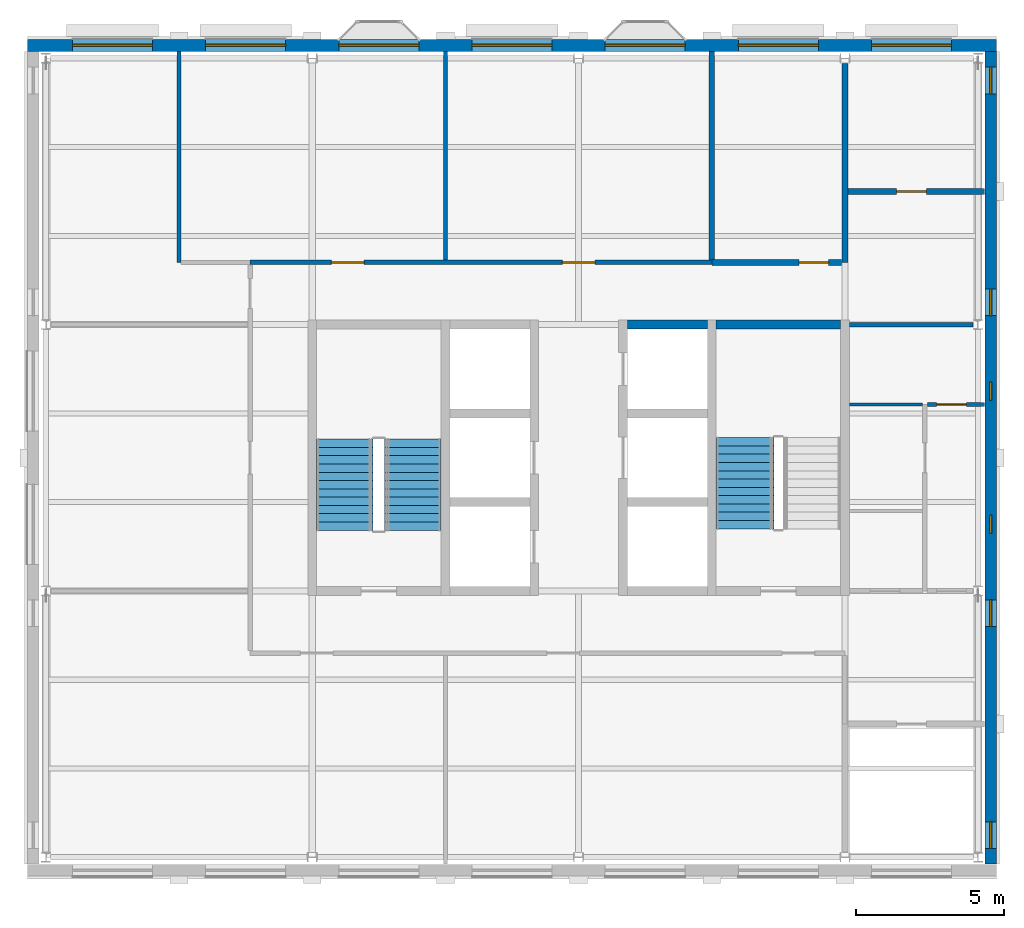
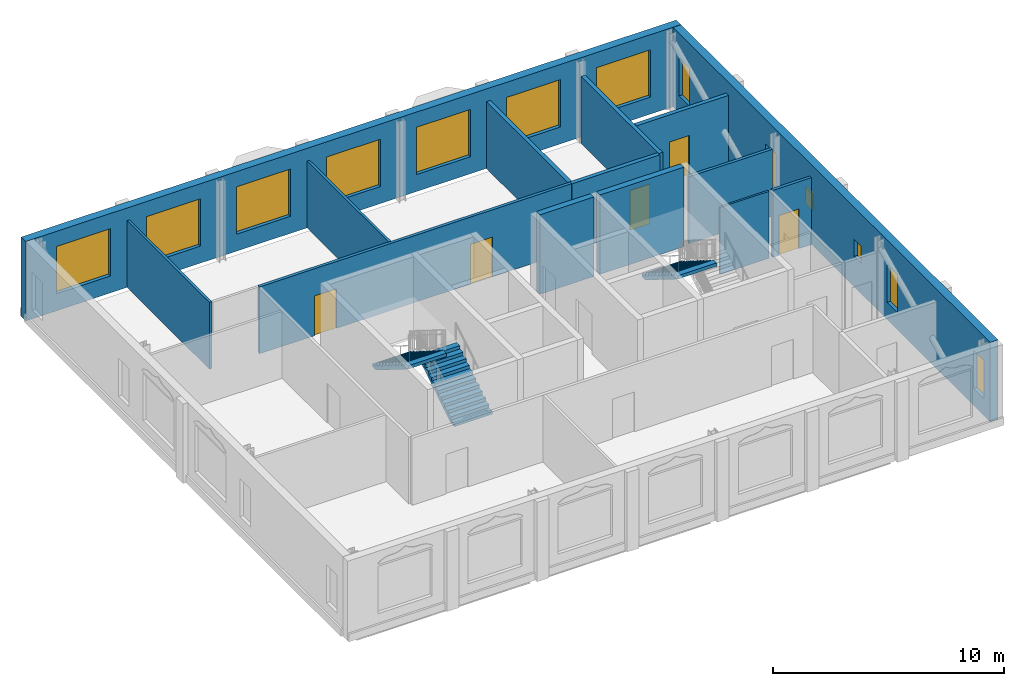
# One storey, part 5 of 9: 14 walls, 13 windows, 5 doors, 3 stair flights, 18 openings, 2 elements without a shape of their own.
"""IFC4 building model written with IfcOpenShell, lengths in metres."""

from ifc_helpers import new_model, si_unit, direction, frame, frame_2d, origin, place, context, subcontext, project, spatial, polyline, rectangle, outline, extrude, material, layer, layer_set, type_object, element, fill, aggregate, save


model = new_model("IFC4")

# Units and contexts
model_context = context("Model", 3, precision=1e-05, world=origin(), true_north=direction((0.0, 1.0)))
body_context = subcontext(model_context, "Body", "Model", "MODEL_VIEW")
ifc_project = project(units=[si_unit("LENGTHUNIT", "METRE"), si_unit("AREAUNIT", "SQUARE_METRE"), si_unit("VOLUMEUNIT", "CUBIC_METRE"), si_unit("PLANEANGLEUNIT", "RADIAN"), si_unit("MASSUNIT", "GRAM", prefix="KILO")], contexts=[model_context])

# Site, building, storey
site_placement = place(None, origin())
site = spatial("IfcSite", under=ifc_project, at=site_placement, CompositionType="ELEMENT")
building_placement = place(site_placement, origin())
building = spatial("IfcBuilding", under=site, at=building_placement, Name="Hortulan Conservatory and Botanical Research Centre", CompositionType="ELEMENT")
storey_placement = place(building_placement, frame((0.0, 0.0, 31.800048828125)))
storey = spatial("IfcBuildingStorey", under=building, at=storey_placement, Name="L07", CompositionType="ELEMENT", Elevation=31.800048828125)

# Walls
ifc_material_1 = material(Name="Fire-rated plasterboard on steel studs", Category="steel")
ifc_layer_1 = layer(ifc_material_1, 0.199951171875)
ifc_layer_set_1 = layer_set([ifc_layer_1], Name="Compartment Partition 200")
wall_type_1 = type_object("IfcWallType", Name="Compartment Partition 200", PredefinedType="PARTITIONING", material=ifc_layer_set_1)
wall_1_placement = place(storey_placement, frame((22.5, 20.18505859375, 0.0), z_axis=(0.0, 0.0, 1.0), x_axis=(0.0, 1.0, 0.0)))
element("IfcWall", 1, at=wall_1_placement, inside=storey, type_object=wall_type_1, Name="Store wall", PredefinedType="PARTITIONING", context=body_context, shape_type="SweptSolid", body=[
    extrude(rectangle(XDim=7.041015625, YDim=0.199951171875, at=frame_2d((3.5205078125, 0.0))), origin(), (0.0, 0.0, 1.0), 3.536865234375),
])
wall_2_placement = place(storey_placement, frame((27.0, 20.10009765625, 0.0), z_axis=(0.0, 0.0, 1.0), x_axis=(0.0, 1.0, 0.0)))
element("IfcWall", 2, at=wall_2_placement, inside=storey, type_object=wall_type_1, Name="Store wall", PredefinedType="PARTITIONING", context=body_context, shape_type="SweptSolid", body=[
    extrude(rectangle(XDim=6.726318359375, YDim=0.199951171875, at=frame_2d((3.36328125, 0.0))), origin(), (0.0, 0.0, 1.0), 3.536865234375),
])

# Wall, opening, door
wall_3_placement = place(storey_placement, frame((22.510009765625, 20.10009765625, 0.0), z_axis=(0.0, 0.0, 1.0), x_axis=(1.0, 0.0, 0.0)))
wall_3 = element("IfcWall", 3, at=wall_3_placement, inside=storey, type_object=wall_type_1, Name="Store wall", PredefinedType="PARTITIONING", context=body_context, shape_type="SweptSolid", body=[
    extrude(rectangle(XDim=4.3798828125, YDim=0.199951171875, at=frame_2d((2.18994140625, 0.0))), origin(), (0.0, 0.0, 1.0), 3.536865234375),
])
opening_1_placement = place(wall_3_placement, frame((2.93994140625, 0.0, 0.0)))
opening_1 = element("IfcOpeningElement", 4, at=opening_1_placement, cuts=wall_3, Name="Opening DT6", PredefinedType="OPENING", context=body_context, shape_type="SweptSolid", body=[
    extrude(rectangle(XDim=1.0, YDim=2.10009765625, at=frame_2d((0.5, 1.050048828125))), frame((0.0, 0.10986328125, 0.0), z_axis=(0.0, -1.0, 0.0), x_axis=(1.0, 0.0, 0.0)), (0.0, 0.0, 1.0), 0.219970703125),
])
ifc_material_2 = material(Name="Steel door leaf, insulated", Category="steel")
door_type_1 = type_object("IfcDoorType", Name="Fire Door 1000x2100 FRL -/120/30", OperationType="NOTDEFINED", PredefinedType="DOOR", material=ifc_material_2)
door_1_placement = place(opening_1_placement, origin())
door_1 = element("IfcDoor", 5, at=door_1_placement, inside=storey, type_object=door_type_1, Name="Door DT6 Chemical Store", OperationType="SINGLE_SWING_LEFT", OverallHeight=2.10009765625, OverallWidth=1.0, PredefinedType="DOOR", context=body_context, shape_type="SweptSolid", body=[
    extrude(rectangle(XDim=1.0, YDim=2.10009765625, at=frame_2d((0.5, 1.050048828125))), frame((0.0, 0.02490234375, 0.0), z_axis=(0.0, -1.0, 0.0), x_axis=(1.0, 0.0, 0.0)), (0.0, 0.0, 1.0), 0.050048828125),
])
fill(opening_1, door_1)

wall_4_placement = place(storey_placement, frame((27.110107421875, 22.5, 0.0), z_axis=(0.0, 0.0, 1.0), x_axis=(1.0, 0.0, 0.0)))
wall_4 = element("IfcWall", 6, at=wall_4_placement, inside=storey, type_object=wall_type_1, Name="Store wall", PredefinedType="PARTITIONING", context=body_context, shape_type="SweptSolid", body=[
    extrude(rectangle(XDim=4.60498046875, YDim=0.199951171875, at=frame_2d((2.302490234375, 0.0))), origin(), (0.0, 0.0, 1.0), 3.536865234375),
])
opening_2_placement = place(wall_4_placement, frame((1.639892578125, 0.0, 0.0)))
opening_2 = element("IfcOpeningElement", 7, at=opening_2_placement, cuts=wall_4, Name="Opening DT6", PredefinedType="OPENING", context=body_context, shape_type="SweptSolid", body=[
    extrude(rectangle(XDim=1.0, YDim=2.10009765625, at=frame_2d((0.5, 1.050048828125))), frame((0.0, 0.10986328125, 0.0), z_axis=(0.0, -1.0, 0.0), x_axis=(1.0, 0.0, 0.0)), (0.0, 0.0, 1.0), 0.219970703125),
])
door_2_placement = place(opening_2_placement, origin())
door_2 = element("IfcDoor", 8, at=door_2_placement, inside=storey, type_object=door_type_1, Name="Door DT6 Cold Room", OperationType="SINGLE_SWING_LEFT", OverallHeight=2.10009765625, OverallWidth=1.0, PredefinedType="DOOR", context=body_context, shape_type="SweptSolid", body=[
    extrude(rectangle(XDim=1.0, YDim=2.10009765625, at=frame_2d((0.5, 1.050048828125))), frame((0.0, 0.02490234375, 0.0), z_axis=(0.0, -1.0, 0.0), x_axis=(1.0, 0.0, 0.0)), (0.0, 0.0, 1.0), 0.050048828125),
])
fill(opening_2, door_2)

# Walls
ifc_material_3 = material(Name="Concrete N50 (50 MPa, AS 3600)", Category="concrete")
ifc_layer_2 = layer(ifc_material_3, 0.300048828125)
ifc_layer_set_2 = layer_set([ifc_layer_2], Name="Core Wall 300 N50 FRL 240/120/120")
wall_type_2 = type_object("IfcWallType", Name="Core Wall 300 N50 FRL 240/120/120", PredefinedType="SHEAR", material=ifc_layer_set_2)
wall_5_placement = place(storey_placement, frame((19.64990234375, 18.0, 0.0), z_axis=(0.0, 0.0, 1.0), x_axis=(1.0, 0.0, 0.0)))
element("IfcWall", 9, at=wall_5_placement, inside=storey, type_object=wall_type_2, Name="Reinforced concrete shaft wall", PredefinedType="SHEAR", context=body_context, shape_type="SweptSolid", body=[
    extrude(rectangle(XDim=2.7001953125, YDim=0.300048828125, at=frame_2d((1.35009765625, 0.0))), origin(), (0.0, 0.0, 1.0), 4.199951171875),
])
wall_6_placement = place(storey_placement, frame((22.64990234375, 18.0, 0.0), z_axis=(0.0, 0.0, 1.0), x_axis=(1.0, 0.0, 0.0)))
element("IfcWall", 10, at=wall_6_placement, inside=storey, type_object=wall_type_2, Name="Reinforced concrete shaft wall", PredefinedType="SHEAR", context=body_context, shape_type="SweptSolid", body=[
    extrude(rectangle(XDim=4.2001953125, YDim=0.300048828125, at=frame_2d((2.10009765625, 0.0))), origin(), (0.0, 0.0, 1.0), 4.199951171875),
])
ifc_material_4 = material(Name="Plasterboard on steel studs", Category="steel")
ifc_layer_3 = layer(ifc_material_4, 0.14990234375)
ifc_layer_set_3 = layer_set([ifc_layer_3], Name="Corridor Partition 150")
wall_type_3 = type_object("IfcWallType", Name="Corridor Partition 150", PredefinedType="PARTITIONING", material=ifc_layer_set_3)
wall_7_placement = place(storey_placement, frame((27.159912109375, 18.0, 0.0), z_axis=(0.0, 0.0, 1.0), x_axis=(1.0, 0.0, 0.0)))
element("IfcWall", 11, at=wall_7_placement, inside=storey, type_object=wall_type_3, Name="Corridor partition", PredefinedType="PARTITIONING", context=body_context, shape_type="SweptSolid", body=[
    extrude(rectangle(XDim=4.174560546875, YDim=0.14990234375, at=frame_2d((2.08740234375, 0.0))), origin(), (0.0, 0.0, 1.0), 3.536865234375),
])

# Wall, openings, doors
wall_8_placement = place(storey_placement, frame((6.89990234375, 20.10009765625, 0.0), z_axis=(0.0, 0.0, 1.0), x_axis=(1.0, 0.0, 0.0)))
wall_8 = element("IfcWall", 12, at=wall_8_placement, inside=storey, type_object=wall_type_3, Name="Corridor partition", PredefinedType="PARTITIONING", context=body_context, shape_type="SweptSolid", body=[
    extrude(rectangle(XDim=15.60009765625, YDim=0.14990234375, at=frame_2d((7.800048828125, 0.0))), origin(), (0.0, 0.0, 1.0), 3.536865234375),
])
opening_3_placement = place(wall_8_placement, frame((2.75, 0.0, 0.0)))
opening_3 = element("IfcOpeningElement", 13, at=opening_3_placement, cuts=wall_8, Name="Opening DT3", PredefinedType="OPENING", context=body_context, shape_type="SweptSolid", body=[
    extrude(rectangle(XDim=1.10009765625, YDim=2.10009765625, at=frame_2d((0.550048828125, 1.050048828125))), frame((0.0, 0.0849609375, 0.0), z_axis=(0.0, -1.0, 0.0), x_axis=(1.0, 0.0, 0.0)), (0.0, 0.0, 1.0), 0.169921875),
])
opening_4_placement = place(wall_8_placement, frame((10.550048828125, 0.0, 0.0)))
opening_4 = element("IfcOpeningElement", 14, at=opening_4_placement, cuts=wall_8, Name="Opening DT3", PredefinedType="OPENING", context=body_context, shape_type="SweptSolid", body=[
    extrude(rectangle(XDim=1.10009765625, YDim=2.10009765625, at=frame_2d((0.550048828125, 1.050048828125))), frame((0.0, 0.0849609375, 0.0), z_axis=(0.0, -1.0, 0.0), x_axis=(1.0, 0.0, 0.0)), (0.0, 0.0, 1.0), 0.169921875),
])
ifc_material_5 = material(Name="Timber door leaf with vision panel", Category="wood")
door_type_2 = type_object("IfcDoorType", Name="Laboratory Door 1100x2100", OperationType="NOTDEFINED", PredefinedType="DOOR", material=ifc_material_5)
door_3_placement = place(opening_3_placement, origin())
door_3 = element("IfcDoor", 15, at=door_3_placement, inside=storey, type_object=door_type_2, Name="Door DT3 Tissue Culture Laboratory", OperationType="SINGLE_SWING_LEFT", OverallHeight=2.10009765625, OverallWidth=1.10009765625, PredefinedType="DOOR", context=body_context, shape_type="SweptSolid", body=[
    extrude(rectangle(XDim=1.10009765625, YDim=2.10009765625, at=frame_2d((0.550048828125, 1.050048828125))), frame((0.0, 0.02490234375, 0.0), z_axis=(0.0, -1.0, 0.0), x_axis=(1.0, 0.0, 0.0)), (0.0, 0.0, 1.0), 0.050048828125),
])
fill(opening_3, door_3)
door_4_placement = place(opening_4_placement, origin())
door_4 = element("IfcDoor", 16, at=door_4_placement, inside=storey, type_object=door_type_2, Name="Door DT3 Plant Physiology Laboratory", OperationType="SINGLE_SWING_RIGHT", OverallHeight=2.10009765625, OverallWidth=1.10009765625, PredefinedType="DOOR", context=body_context, shape_type="SweptSolid", body=[
    extrude(rectangle(XDim=1.10009765625, YDim=2.10009765625, at=frame_2d((0.550048828125, 1.050048828125))), frame((0.0, 0.02490234375, 0.0), z_axis=(0.0, -1.0, 0.0), x_axis=(1.0, 0.0, 0.0)), (0.0, 0.0, 1.0), 0.050048828125),
])
fill(opening_4, door_4)

# Wall, openings, windows
ifc_material_6 = material(Name="Faience-faced brickwork masonry", Category="masonry")
ifc_layer_4 = layer(ifc_material_6, 0.39990234375)
ifc_layer_set_4 = layer_set([ifc_layer_4], Name="Faience-faced Masonry Cavity Wall 400")
wall_type_4 = type_object("IfcWallType", Name="Faience-faced Masonry Cavity Wall 400", PredefinedType="STANDARD", material=ifc_layer_set_4)
wall_9_placement = place(storey_placement, frame((-0.625, 27.43603515625, 0.0), z_axis=(0.0, 0.0, 1.0), x_axis=(1.0, 0.0, 0.0)))
wall_9 = element("IfcWall", 17, at=wall_9_placement, inside=storey, type_object=wall_type_4, Name="E-EW-TW-L07-N3", PredefinedType="STANDARD", context=body_context, shape_type="SweptSolid", body=[
    extrude(rectangle(XDim=32.75, YDim=0.39990234375, at=frame_2d((16.375, 0.0))), origin(), (0.0, 0.0, 1.0), 4.199951171875),
])
opening_5_placement = place(wall_9_placement, frame((1.52490234375, 0.0, 0.89990234375)))
opening_5 = element("IfcOpeningElement", 18, at=opening_5_placement, cuts=wall_9, Name="Opening W4", PredefinedType="OPENING", context=body_context, shape_type="SweptSolid", body=[
    extrude(rectangle(XDim=2.699951171875, YDim=2.5, at=frame_2d((1.35009765625, 1.25))), frame((0.0, 0.2099609375, 0.0), z_axis=(0.0, -1.0, 0.0), x_axis=(1.0, 0.0, 0.0)), (0.0, 0.0, 1.0), 0.419921875),
])
opening_6_placement = place(wall_9_placement, frame((6.02490234375, 0.0, 0.89990234375)))
opening_6 = element("IfcOpeningElement", 19, at=opening_6_placement, cuts=wall_9, Name="Opening W4", PredefinedType="OPENING", context=body_context, shape_type="SweptSolid", body=[
    extrude(rectangle(XDim=2.699951171875, YDim=2.5, at=frame_2d((1.35009765625, 1.25))), frame((0.0, 0.2099609375, 0.0), z_axis=(0.0, -1.0, 0.0), x_axis=(1.0, 0.0, 0.0)), (0.0, 0.0, 1.0), 0.419921875),
])
opening_7_placement = place(wall_9_placement, frame((10.52490234375, 0.0, 0.89990234375)))
opening_7 = element("IfcOpeningElement", 20, at=opening_7_placement, cuts=wall_9, Name="Opening W4", PredefinedType="OPENING", context=body_context, shape_type="SweptSolid", body=[
    extrude(rectangle(XDim=2.699951171875, YDim=2.5, at=frame_2d((1.35009765625, 1.25))), frame((0.0, 0.2099609375, 0.0), z_axis=(0.0, -1.0, 0.0), x_axis=(1.0, 0.0, 0.0)), (0.0, 0.0, 1.0), 0.419921875),
])
opening_8_placement = place(wall_9_placement, frame((15.02490234375, 0.0, 0.89990234375)))
opening_8 = element("IfcOpeningElement", 21, at=opening_8_placement, cuts=wall_9, Name="Opening W4", PredefinedType="OPENING", context=body_context, shape_type="SweptSolid", body=[
    extrude(rectangle(XDim=2.699951171875, YDim=2.5, at=frame_2d((1.35009765625, 1.25))), frame((0.0, 0.2099609375, 0.0), z_axis=(0.0, -1.0, 0.0), x_axis=(1.0, 0.0, 0.0)), (0.0, 0.0, 1.0), 0.419921875),
])
opening_9_placement = place(wall_9_placement, frame((19.52490234375, 0.0, 0.89990234375)))
opening_9 = element("IfcOpeningElement", 22, at=opening_9_placement, cuts=wall_9, Name="Opening W4", PredefinedType="OPENING", context=body_context, shape_type="SweptSolid", body=[
    extrude(rectangle(XDim=2.699951171875, YDim=2.5, at=frame_2d((1.35009765625, 1.25))), frame((0.0, 0.2099609375, 0.0), z_axis=(0.0, -1.0, 0.0), x_axis=(1.0, 0.0, 0.0)), (0.0, 0.0, 1.0), 0.419921875),
])
opening_10_placement = place(wall_9_placement, frame((24.02490234375, 0.0, 0.89990234375)))
opening_10 = element("IfcOpeningElement", 23, at=opening_10_placement, cuts=wall_9, Name="Opening W4", PredefinedType="OPENING", context=body_context, shape_type="SweptSolid", body=[
    extrude(rectangle(XDim=2.699951171875, YDim=2.5, at=frame_2d((1.35009765625, 1.25))), frame((0.0, 0.2099609375, 0.0), z_axis=(0.0, -1.0, 0.0), x_axis=(1.0, 0.0, 0.0)), (0.0, 0.0, 1.0), 0.419921875),
])
opening_11_placement = place(wall_9_placement, frame((28.52490234375, 0.0, 0.89990234375)))
opening_11 = element("IfcOpeningElement", 24, at=opening_11_placement, cuts=wall_9, Name="Opening W4", PredefinedType="OPENING", context=body_context, shape_type="SweptSolid", body=[
    extrude(rectangle(XDim=2.699951171875, YDim=2.5, at=frame_2d((1.35009765625, 1.25))), frame((0.0, 0.2099609375, 0.0), z_axis=(0.0, -1.0, 0.0), x_axis=(1.0, 0.0, 0.0)), (0.0, 0.0, 1.0), 0.419921875),
])
ifc_material_7 = material(Name="Bronze-finished aluminium frame with low-e laminated double glazing", Category="aluminium")
window_type_1 = type_object("IfcWindowType", Name="Faience Window 2700x2500", PartitioningType="SINGLE_PANEL", PredefinedType="WINDOW", material=ifc_material_7)
window_1_placement = place(opening_5_placement, origin())
window_1 = element("IfcWindow", 25, at=window_1_placement, inside=storey, type_object=window_type_1, Name="Faience window", OverallHeight=2.5, OverallWidth=2.699951171875, PartitioningType="SINGLE_PANEL", PredefinedType="WINDOW", context=body_context, shape_type="SweptSolid", body=[
    extrude(rectangle(XDim=2.699951171875, YDim=2.5, at=frame_2d((1.35009765625, 1.25))), frame((0.0, 0.030029296875, 0.0), z_axis=(0.0, -1.0, 0.0), x_axis=(1.0, 0.0, 0.0)), (0.0, 0.0, 1.0), 0.06005859375),
])
fill(opening_5, window_1)
window_2_placement = place(opening_6_placement, origin())
window_2 = element("IfcWindow", 26, at=window_2_placement, inside=storey, type_object=window_type_1, Name="Faience window", OverallHeight=2.5, OverallWidth=2.699951171875, PartitioningType="SINGLE_PANEL", PredefinedType="WINDOW", context=body_context, shape_type="SweptSolid", body=[
    extrude(rectangle(XDim=2.699951171875, YDim=2.5, at=frame_2d((1.35009765625, 1.25))), frame((0.0, 0.030029296875, 0.0), z_axis=(0.0, -1.0, 0.0), x_axis=(1.0, 0.0, 0.0)), (0.0, 0.0, 1.0), 0.06005859375),
])
fill(opening_6, window_2)
window_3_placement = place(opening_7_placement, origin())
window_3 = element("IfcWindow", 27, at=window_3_placement, inside=storey, type_object=window_type_1, Name="Faience window", OverallHeight=2.5, OverallWidth=2.699951171875, PartitioningType="SINGLE_PANEL", PredefinedType="WINDOW", context=body_context, shape_type="SweptSolid", body=[
    extrude(rectangle(XDim=2.699951171875, YDim=2.5, at=frame_2d((1.35009765625, 1.25))), frame((0.0, 0.030029296875, 0.0), z_axis=(0.0, -1.0, 0.0), x_axis=(1.0, 0.0, 0.0)), (0.0, 0.0, 1.0), 0.06005859375),
])
fill(opening_7, window_3)
window_4_placement = place(opening_8_placement, origin())
window_4 = element("IfcWindow", 28, at=window_4_placement, inside=storey, type_object=window_type_1, Name="Faience window", OverallHeight=2.5, OverallWidth=2.699951171875, PartitioningType="SINGLE_PANEL", PredefinedType="WINDOW", context=body_context, shape_type="SweptSolid", body=[
    extrude(rectangle(XDim=2.699951171875, YDim=2.5, at=frame_2d((1.35009765625, 1.25))), frame((0.0, 0.030029296875, 0.0), z_axis=(0.0, -1.0, 0.0), x_axis=(1.0, 0.0, 0.0)), (0.0, 0.0, 1.0), 0.06005859375),
])
fill(opening_8, window_4)
window_5_placement = place(opening_9_placement, origin())
window_5 = element("IfcWindow", 29, at=window_5_placement, inside=storey, type_object=window_type_1, Name="Faience window", OverallHeight=2.5, OverallWidth=2.699951171875, PartitioningType="SINGLE_PANEL", PredefinedType="WINDOW", context=body_context, shape_type="SweptSolid", body=[
    extrude(rectangle(XDim=2.699951171875, YDim=2.5, at=frame_2d((1.35009765625, 1.25))), frame((0.0, 0.030029296875, 0.0), z_axis=(0.0, -1.0, 0.0), x_axis=(1.0, 0.0, 0.0)), (0.0, 0.0, 1.0), 0.06005859375),
])
fill(opening_9, window_5)
window_6_placement = place(opening_10_placement, origin())
window_6 = element("IfcWindow", 30, at=window_6_placement, inside=storey, type_object=window_type_1, Name="Faience window", OverallHeight=2.5, OverallWidth=2.699951171875, PartitioningType="SINGLE_PANEL", PredefinedType="WINDOW", context=body_context, shape_type="SweptSolid", body=[
    extrude(rectangle(XDim=2.699951171875, YDim=2.5, at=frame_2d((1.35009765625, 1.25))), frame((0.0, 0.030029296875, 0.0), z_axis=(0.0, -1.0, 0.0), x_axis=(1.0, 0.0, 0.0)), (0.0, 0.0, 1.0), 0.06005859375),
])
fill(opening_10, window_6)
window_7_placement = place(opening_11_placement, origin())
window_7 = element("IfcWindow", 31, at=window_7_placement, inside=storey, type_object=window_type_1, Name="Faience window", OverallHeight=2.5, OverallWidth=2.699951171875, PartitioningType="SINGLE_PANEL", PredefinedType="WINDOW", context=body_context, shape_type="SweptSolid", body=[
    extrude(rectangle(XDim=2.699951171875, YDim=2.5, at=frame_2d((1.35009765625, 1.25))), frame((0.0, 0.030029296875, 0.0), z_axis=(0.0, -1.0, 0.0), x_axis=(1.0, 0.0, 0.0)), (0.0, 0.0, 1.0), 0.06005859375),
])
fill(opening_11, window_7)

wall_10_placement = place(storey_placement, frame((31.925048828125, 27.22509765625, 0.0), z_axis=(0.0, 0.0, 1.0), x_axis=(0.0, -1.0, 0.0)))
wall_10 = element("IfcWall", 32, at=wall_10_placement, inside=storey, type_object=wall_type_4, Name="E-EW-TW-L07-E4", PredefinedType="STANDARD", context=body_context, shape_type="SweptSolid", body=[
    extrude(rectangle(XDim=27.4501953125, YDim=0.39990234375, at=frame_2d((13.72509765625, 0.0))), origin(), (0.0, 0.0, 1.0), 4.199951171875),
])
opening_12_placement = place(wall_10_placement, frame((26.02490234375, 0.0, 0.89990234375)))
opening_12 = element("IfcOpeningElement", 33, at=opening_12_placement, cuts=wall_10, Name="Opening W5", PredefinedType="OPENING", context=body_context, shape_type="SweptSolid", body=[
    extrude(rectangle(XDim=0.89990234375, YDim=2.0, at=frame_2d((0.449951171875, 1.0))), frame((0.0, 0.2099609375, 0.0), z_axis=(0.0, -1.0, 0.0), x_axis=(1.0, 0.0, 0.0)), (0.0, 0.0, 1.0), 0.419921875),
])
opening_13_placement = place(wall_10_placement, frame((18.52490234375, 0.0, 0.89990234375)))
opening_13 = element("IfcOpeningElement", 34, at=opening_13_placement, cuts=wall_10, Name="Opening W5", PredefinedType="OPENING", context=body_context, shape_type="SweptSolid", body=[
    extrude(rectangle(XDim=0.89990234375, YDim=2.0, at=frame_2d((0.449951171875, 1.0))), frame((0.0, 0.2099609375, 0.0), z_axis=(0.0, -1.0, 0.0), x_axis=(1.0, 0.0, 0.0)), (0.0, 0.0, 1.0), 0.419921875),
])
opening_14_placement = place(wall_10_placement, frame((15.675048828125, 0.0, 1.60009765625)))
opening_14 = element("IfcOpeningElement", 35, at=opening_14_placement, cuts=wall_10, Name="Opening W3", PredefinedType="OPENING", context=body_context, shape_type="SweptSolid", body=[
    extrude(rectangle(XDim=0.60009765625, YDim=0.89990234375, at=frame_2d((0.300048828125, 0.449951171875))), frame((0.0, 0.2099609375, 0.0), z_axis=(0.0, -1.0, 0.0), x_axis=(1.0, 0.0, 0.0)), (0.0, 0.0, 1.0), 0.419921875),
])
opening_15_placement = place(wall_10_placement, frame((11.175048828125, 0.0, 1.60009765625)))
opening_15 = element("IfcOpeningElement", 36, at=opening_15_placement, cuts=wall_10, Name="Opening W3", PredefinedType="OPENING", context=body_context, shape_type="SweptSolid", body=[
    extrude(rectangle(XDim=0.60009765625, YDim=0.89990234375, at=frame_2d((0.300048828125, 0.449951171875))), frame((0.0, 0.2099609375, 0.0), z_axis=(0.0, -1.0, 0.0), x_axis=(1.0, 0.0, 0.0)), (0.0, 0.0, 1.0), 0.419921875),
])
opening_16_placement = place(wall_10_placement, frame((8.02490234375, 0.0, 0.89990234375)))
opening_16 = element("IfcOpeningElement", 37, at=opening_16_placement, cuts=wall_10, Name="Opening W5", PredefinedType="OPENING", context=body_context, shape_type="SweptSolid", body=[
    extrude(rectangle(XDim=0.89990234375, YDim=2.0, at=frame_2d((0.449951171875, 1.0))), frame((0.0, 0.2099609375, 0.0), z_axis=(0.0, -1.0, 0.0), x_axis=(1.0, 0.0, 0.0)), (0.0, 0.0, 1.0), 0.419921875),
])
opening_17_placement = place(wall_10_placement, frame((0.52490234375, 0.0, 0.89990234375)))
opening_17 = element("IfcOpeningElement", 38, at=opening_17_placement, cuts=wall_10, Name="Opening W5", PredefinedType="OPENING", context=body_context, shape_type="SweptSolid", body=[
    extrude(rectangle(XDim=0.89990234375, YDim=2.0, at=frame_2d((0.449951171875, 1.0))), frame((0.0, 0.2099609375, 0.0), z_axis=(0.0, -1.0, 0.0), x_axis=(1.0, 0.0, 0.0)), (0.0, 0.0, 1.0), 0.419921875),
])
window_type_2 = type_object("IfcWindowType", Name="Faience Pier Window 900x2000", PartitioningType="SINGLE_PANEL", PredefinedType="WINDOW", material=ifc_material_7)
window_8_placement = place(opening_12_placement, origin())
window_8 = element("IfcWindow", 39, at=window_8_placement, inside=storey, type_object=window_type_2, Name="Faience Pier window", OverallHeight=2.0, OverallWidth=0.89990234375, PartitioningType="SINGLE_PANEL", PredefinedType="WINDOW", context=body_context, shape_type="SweptSolid", body=[
    extrude(rectangle(XDim=0.89990234375, YDim=2.0, at=frame_2d((0.449951171875, 1.0))), frame((0.0, 0.030029296875, 0.0), z_axis=(0.0, -1.0, 0.0), x_axis=(1.0, 0.0, 0.0)), (0.0, 0.0, 1.0), 0.06005859375),
])
fill(opening_12, window_8)
window_9_placement = place(opening_13_placement, origin())
window_9 = element("IfcWindow", 40, at=window_9_placement, inside=storey, type_object=window_type_2, Name="Faience Pier window", OverallHeight=2.0, OverallWidth=0.89990234375, PartitioningType="SINGLE_PANEL", PredefinedType="WINDOW", context=body_context, shape_type="SweptSolid", body=[
    extrude(rectangle(XDim=0.89990234375, YDim=2.0, at=frame_2d((0.449951171875, 1.0))), frame((0.0, 0.030029296875, 0.0), z_axis=(0.0, -1.0, 0.0), x_axis=(1.0, 0.0, 0.0)), (0.0, 0.0, 1.0), 0.06005859375),
])
fill(opening_13, window_9)
window_10_placement = place(opening_16_placement, origin())
window_10 = element("IfcWindow", 41, at=window_10_placement, inside=storey, type_object=window_type_2, Name="Faience Pier window", OverallHeight=2.0, OverallWidth=0.89990234375, PartitioningType="SINGLE_PANEL", PredefinedType="WINDOW", context=body_context, shape_type="SweptSolid", body=[
    extrude(rectangle(XDim=0.89990234375, YDim=2.0, at=frame_2d((0.449951171875, 1.0))), frame((0.0, 0.030029296875, 0.0), z_axis=(0.0, -1.0, 0.0), x_axis=(1.0, 0.0, 0.0)), (0.0, 0.0, 1.0), 0.06005859375),
])
fill(opening_16, window_10)
window_11_placement = place(opening_17_placement, origin())
window_11 = element("IfcWindow", 42, at=window_11_placement, inside=storey, type_object=window_type_2, Name="Faience Pier window", OverallHeight=2.0, OverallWidth=0.89990234375, PartitioningType="SINGLE_PANEL", PredefinedType="WINDOW", context=body_context, shape_type="SweptSolid", body=[
    extrude(rectangle(XDim=0.89990234375, YDim=2.0, at=frame_2d((0.449951171875, 1.0))), frame((0.0, 0.030029296875, 0.0), z_axis=(0.0, -1.0, 0.0), x_axis=(1.0, 0.0, 0.0)), (0.0, 0.0, 1.0), 0.06005859375),
])
fill(opening_17, window_11)
window_type_3 = type_object("IfcWindowType", Name="Slot Window 600x900", PartitioningType="SINGLE_PANEL", PredefinedType="WINDOW", material=ifc_material_7)
window_12_placement = place(opening_14_placement, origin())
window_12 = element("IfcWindow", 43, at=window_12_placement, inside=storey, type_object=window_type_3, Name="Slot window", OverallHeight=0.89990234375, OverallWidth=0.60009765625, PartitioningType="SINGLE_PANEL", PredefinedType="WINDOW", context=body_context, shape_type="SweptSolid", body=[
    extrude(rectangle(XDim=0.60009765625, YDim=0.89990234375, at=frame_2d((0.300048828125, 0.449951171875))), frame((0.0, 0.030029296875, 0.0), z_axis=(0.0, -1.0, 0.0), x_axis=(1.0, 0.0, 0.0)), (0.0, 0.0, 1.0), 0.06005859375),
])
fill(opening_14, window_12)
window_13_placement = place(opening_15_placement, origin())
window_13 = element("IfcWindow", 44, at=window_13_placement, inside=storey, type_object=window_type_3, Name="Slot window", OverallHeight=0.89990234375, OverallWidth=0.60009765625, PartitioningType="SINGLE_PANEL", PredefinedType="WINDOW", context=body_context, shape_type="SweptSolid", body=[
    extrude(rectangle(XDim=0.60009765625, YDim=0.89990234375, at=frame_2d((0.300048828125, 0.449951171875))), frame((0.0, 0.030029296875, 0.0), z_axis=(0.0, -1.0, 0.0), x_axis=(1.0, 0.0, 0.0)), (0.0, 0.0, 1.0), 0.06005859375),
])
fill(opening_15, window_13)

# Wall, opening, door
ifc_layer_5 = layer(ifc_material_1, 0.14990234375)
ifc_layer_set_5 = layer_set([ifc_layer_5], Name="Lobby Partition 150")
wall_type_5 = type_object("IfcWallType", Name="Lobby Partition 150", PredefinedType="PARTITIONING", material=ifc_layer_set_5)
wall_11_placement = place(storey_placement, frame((29.784912109375, 15.300048828125, 0.0), z_axis=(0.0, 0.0, 1.0), x_axis=(1.0, 0.0, 0.0)))
wall_11 = element("IfcWall", 45, at=wall_11_placement, inside=storey, type_object=wall_type_5, Name="Lobby partition", PredefinedType="PARTITIONING", context=body_context, shape_type="SweptSolid", body=[
    extrude(rectangle(XDim=1.93017578125, YDim=0.14990234375, at=frame_2d((0.965087890625, 0.0))), origin(), (0.0, 0.0, 1.0), 3.536865234375),
])
opening_18_placement = place(wall_11_placement, frame((0.31494140625, 0.0, 0.0)))
opening_18 = element("IfcOpeningElement", 46, at=opening_18_placement, cuts=wall_11, Name="Opening DT4", PredefinedType="OPENING", context=body_context, shape_type="SweptSolid", body=[
    extrude(rectangle(XDim=1.0, YDim=2.10009765625, at=frame_2d((0.5, 1.050048828125))), frame((0.0, 0.0849609375, 0.0), z_axis=(0.0, -1.0, 0.0), x_axis=(1.0, 0.0, 0.0)), (0.0, 0.0, 1.0), 0.169921875),
])
door_type_3 = type_object("IfcDoorType", Name="Fire Door 1000x2100 FRL -/60/30", OperationType="NOTDEFINED", PredefinedType="DOOR", material=ifc_material_2)
door_5_placement = place(opening_18_placement, origin())
door_5 = element("IfcDoor", 47, at=door_5_placement, inside=storey, type_object=door_type_3, Name="Door DT4 Men's WC", OperationType="SINGLE_SWING_RIGHT", OverallHeight=2.10009765625, OverallWidth=1.0, PredefinedType="DOOR", context=body_context, shape_type="SweptSolid", body=[
    extrude(rectangle(XDim=1.0, YDim=2.10009765625, at=frame_2d((0.5, 1.050048828125))), frame((0.0, 0.02490234375, 0.0), z_axis=(0.0, -1.0, 0.0), x_axis=(1.0, 0.0, 0.0)), (0.0, 0.0, 1.0), 0.050048828125),
])
fill(opening_18, door_5)

# Walls
ifc_layer_6 = layer(ifc_material_4, 0.125)
ifc_layer_set_6 = layer_set([ifc_layer_6], Name="Partition 125")
wall_type_6 = type_object("IfcWallType", Name="Partition 125", PredefinedType="PARTITIONING", material=ifc_layer_set_6)
wall_12_placement = place(storey_placement, frame((4.5, 20.10009765625, 0.0), z_axis=(0.0, 0.0, 1.0), x_axis=(0.0, 1.0, 0.0)))
element("IfcWall", 48, at=wall_12_placement, inside=storey, type_object=wall_type_6, Name="Partition", PredefinedType="PARTITIONING", context=body_context, shape_type="SweptSolid", body=[
    extrude(rectangle(XDim=7.1259765625, YDim=0.125, at=frame_2d((3.56298828125, 0.0))), origin(), (0.0, 0.0, 1.0), 3.536865234375),
])
wall_13_placement = place(storey_placement, frame((13.5, 20.18505859375, 0.0), z_axis=(0.0, 0.0, 1.0), x_axis=(0.0, 1.0, 0.0)))
element("IfcWall", 49, at=wall_13_placement, inside=storey, type_object=wall_type_6, Name="Partition", PredefinedType="PARTITIONING", context=body_context, shape_type="SweptSolid", body=[
    extrude(rectangle(XDim=7.041015625, YDim=0.125, at=frame_2d((3.5205078125, 0.0))), origin(), (0.0, 0.0, 1.0), 3.536865234375),
])
ifc_material_8 = material(Name="Moisture-resistant plasterboard on steel studs", Category="steel")
ifc_layer_7 = layer(ifc_material_8, 0.10009765625)
ifc_layer_set_7 = layer_set([ifc_layer_7], Name="Wet Area Partition 100")
wall_type_7 = type_object("IfcWallType", Name="Wet Area Partition 100", PredefinedType="PARTITIONING", material=ifc_layer_set_7)
wall_14_placement = place(storey_placement, frame((27.159912109375, 15.300048828125, 0.0), z_axis=(0.0, 0.0, 1.0), x_axis=(1.0, 0.0, 0.0)))
element("IfcWall", 50, at=wall_14_placement, inside=storey, type_object=wall_type_7, Name="Toilet partition", PredefinedType="PARTITIONING", context=body_context, shape_type="SweptSolid", body=[
    extrude(rectangle(XDim=2.455078125, YDim=0.10009765625, at=frame_2d((1.2275390625, 0.0))), origin(), (0.0, 0.0, 1.0), 3.536865234375),
])

# Stair, stair flights
ifc_material_9 = material(Name="Concrete N40 (40 MPa, AS 3600)", Category="concrete")
stair_type_1 = type_object("IfcStairType", Name="Concrete Escape Stair 1900", PredefinedType="HALF_TURN_STAIR", material=ifc_material_9)
stair_1_placement = place(storey_placement, origin())
stair_1 = element("IfcStair", 51, at=stair_1_placement, inside=storey, type_object=stair_type_1, Name="Stair T1 L07", PredefinedType="HALF_TURN_STAIR")
ifc_layer_8 = layer(ifc_material_9, 0.14990234375)
ifc_layer_set_8 = layer_set([ifc_layer_8], Name="Stair Flight 1900 wide, riser 175")
stair_flight_type_1 = type_object("IfcStairFlightType", Name="Stair Flight 1900 wide, riser 175", PredefinedType="STRAIGHT", material=ifc_layer_set_8)
stair_flight_1_placement = place(storey_placement, frame((12.39990234375, 11.050048828125, 0.0), z_axis=(0.0, 0.0, 1.0), x_axis=(0.0, 1.0, 0.0)))
stair_flight_1 = element("IfcStairFlight", 52, at=stair_flight_1_placement, type_object=stair_flight_type_1, Name="Stair T1 L07 flight 1", NumberOfRisers=12, NumberOfTreads=11, PredefinedType="STRAIGHT", RiserHeight=0.175, TreadLength=0.28, context=body_context, shape_type="SweptSolid", body=[
    extrude(outline(polyline([(0.0, 0.0), (0.0, 0.175048828125), (0.280029296875, 0.175048828125), (0.280029296875, 0.35009765625), (0.56005859375, 0.35009765625), (0.56005859375, 0.52490234375), (0.840087890625, 0.52490234375), (0.840087890625, 0.699951171875), (1.1201171875, 0.699951171875), (1.1201171875, 0.875), (1.39990234375, 0.875), (1.39990234375, 1.050048828125), (1.679931640625, 1.050048828125), (1.679931640625, 1.22509765625), (1.9599609375, 1.22509765625), (1.9599609375, 1.39990234375), (2.239990234375, 1.39990234375), (2.239990234375, 1.574951171875), (2.52001953125, 1.574951171875), (2.52001953125, 1.75), (2.800048828125, 1.75), (2.800048828125, 1.925048828125), (3.080078125, 1.925048828125), (3.080078125, 2.10009765625), (3.080078125, 1.748291015625), (0.28271484375, 0.0), (0.0, 0.0)])), frame((0.0, 0.949951171875, 0.0), z_axis=(0.0, -1.0, 0.0), x_axis=(1.0, 0.0, 0.0)), (0.0, 0.0, 1.0), 1.89990234375),
])
stair_flight_2_placement = place(storey_placement, frame((10.10009765625, 14.1298828125, 2.099853515625), z_axis=(0.0, 0.0, 1.0), x_axis=(0.0, -1.0, 0.0)))
stair_flight_2 = element("IfcStairFlight", 53, at=stair_flight_2_placement, type_object=stair_flight_type_1, Name="Stair T1 L07 flight 2", NumberOfRisers=12, NumberOfTreads=11, PredefinedType="STRAIGHT", RiserHeight=0.175, TreadLength=0.28, context=body_context, shape_type="SweptSolid", body=[
    extrude(outline(polyline([(0.0, 0.0), (0.0, 0.175048828125), (0.280029296875, 0.175048828125), (0.280029296875, 0.35009765625), (0.56005859375, 0.35009765625), (0.56005859375, 0.52490234375), (0.840087890625, 0.52490234375), (0.840087890625, 0.699951171875), (1.1201171875, 0.699951171875), (1.1201171875, 0.875), (1.39990234375, 0.875), (1.39990234375, 1.050048828125), (1.679931640625, 1.050048828125), (1.679931640625, 1.22509765625), (1.9599609375, 1.22509765625), (1.9599609375, 1.39990234375), (2.239990234375, 1.39990234375), (2.239990234375, 1.574951171875), (2.52001953125, 1.574951171875), (2.52001953125, 1.75), (2.800048828125, 1.75), (2.800048828125, 1.925048828125), (3.080078125, 1.925048828125), (3.080078125, 2.10009765625), (3.080078125, 1.748291015625), (0.28271484375, 0.0), (0.0, 0.0)])), frame((0.0, 0.949951171875, 0.0), z_axis=(0.0, -1.0, 0.0), x_axis=(1.0, 0.0, 0.0)), (0.0, 0.0, 1.0), 1.89990234375),
])
aggregate(stair_1, [stair_flight_1, stair_flight_2])

# Stair, stair flight
stair_type_2 = type_object("IfcStairType", Name="Concrete Escape Stair 1950", PredefinedType="HALF_TURN_STAIR", material=ifc_material_9)
stair_2_placement = place(storey_placement, origin())
stair_2 = element("IfcStair", 54, at=stair_2_placement, inside=storey, type_object=stair_type_2, Name="Stair T2 L07", PredefinedType="HALF_TURN_STAIR")
ifc_layer_9 = layer(ifc_material_9, 0.14990234375)
ifc_layer_set_9 = layer_set([ifc_layer_9], Name="Stair Flight 1950 wide, riser 175")
stair_flight_type_2 = type_object("IfcStairFlightType", Name="Stair Flight 1950 wide, riser 175", PredefinedType="STRAIGHT", material=ifc_layer_set_9)
stair_flight_3_placement = place(storey_placement, frame((23.625, 14.179931640625, 2.099853515625), z_axis=(0.0, 0.0, 1.0), x_axis=(0.0, -1.0, 0.0)))
stair_flight_3 = element("IfcStairFlight", 55, at=stair_flight_3_placement, type_object=stair_flight_type_2, Name="Stair T2 L07 flight 2", NumberOfRisers=12, NumberOfTreads=11, PredefinedType="STRAIGHT", RiserHeight=0.175, TreadLength=0.28, context=body_context, shape_type="SweptSolid", body=[
    extrude(outline(polyline([(0.0, 0.0), (0.0, 0.175048828125), (0.280029296875, 0.175048828125), (0.280029296875, 0.35009765625), (0.56005859375, 0.35009765625), (0.56005859375, 0.52490234375), (0.840087890625, 0.52490234375), (0.840087890625, 0.699951171875), (1.1201171875, 0.699951171875), (1.1201171875, 0.875), (1.39990234375, 0.875), (1.39990234375, 1.050048828125), (1.679931640625, 1.050048828125), (1.679931640625, 1.22509765625), (1.9599609375, 1.22509765625), (1.9599609375, 1.39990234375), (2.239990234375, 1.39990234375), (2.239990234375, 1.574951171875), (2.52001953125, 1.574951171875), (2.52001953125, 1.75), (2.800048828125, 1.75), (2.800048828125, 1.925048828125), (3.080078125, 1.925048828125), (3.080078125, 2.10009765625), (3.080078125, 1.748291015625), (0.28271484375, 0.0), (0.0, 0.0)])), frame((0.0, 0.97509765625, 0.0), z_axis=(0.0, -1.0, 0.0), x_axis=(1.0, 0.0, 0.0)), (0.0, 0.0, 1.0), 1.949951171875),
])
aggregate(stair_2, [stair_flight_3])

save(model, "model.ifc")
